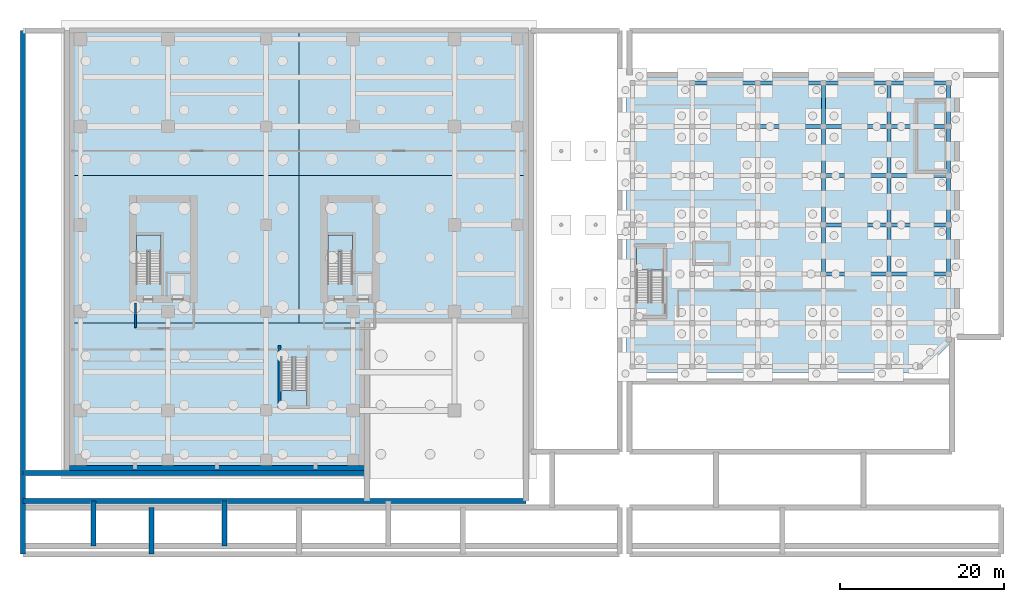
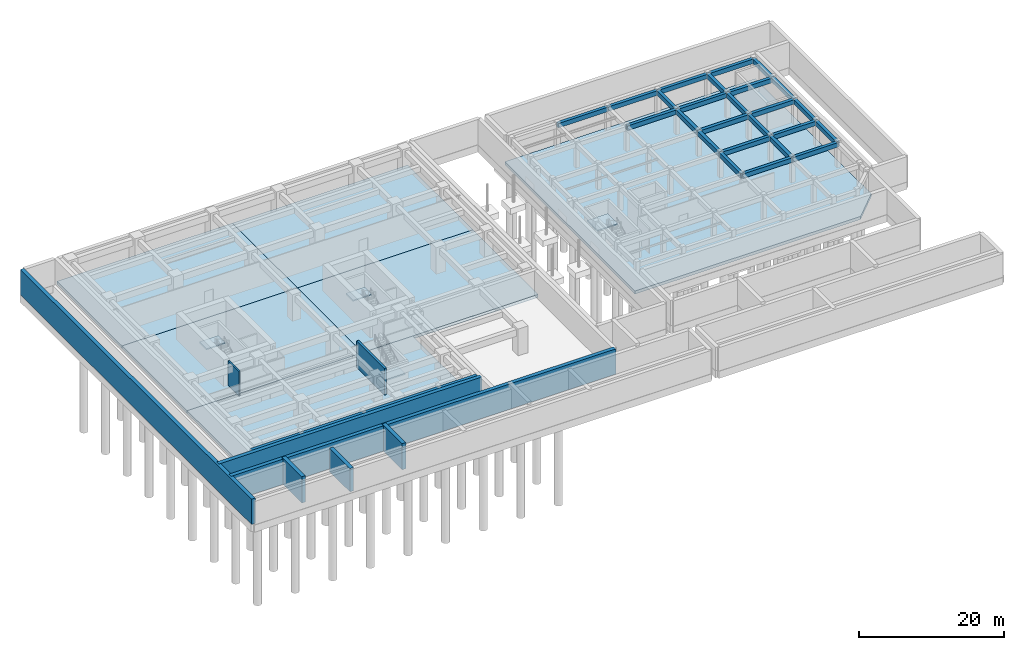
# One storey, part 8 of 14: 25 beams, 10 slabs, 9 walls, 4 elements without a shape of their own.
"""IFC4 building model written with IfcOpenShell, lengths in metres."""

from ifc_helpers import new_model, si_unit, direction, frame, frame_2d, origin, origin_2d, place, context, subcontext, project, spatial, polyline, rectangle, outline, extrude, source, transform, mapped, material, layer, layer_set, material_profile, profile_set, type_object, element, aggregate, save


model = new_model("IFC4")

# Units and contexts
model_context = context("Model", 3, precision=1e-05, world=origin(), true_north=direction((0.0, 1.0)))
body_context = subcontext(model_context, "Body", "Model", "MODEL_VIEW")
ifc_project = project(units=[si_unit("LENGTHUNIT", "METRE"), si_unit("AREAUNIT", "SQUARE_METRE"), si_unit("VOLUMEUNIT", "CUBIC_METRE"), si_unit("PLANEANGLEUNIT", "RADIAN"), si_unit("MASSUNIT", "GRAM", prefix="KILO")], contexts=[model_context])

# Site, building, storey
site_placement = place(None, origin())
site = spatial("IfcSite", under=ifc_project, at=site_placement, CompositionType="ELEMENT")
building_placement = place(site_placement, origin())
building = spatial("IfcBuilding", under=site, at=building_placement, Name="Khoralis Quay Care Tower", CompositionType="ELEMENT")
storey_placement = place(building_placement, frame((0.0, 0.0, -4.5)))
storey = spatial("IfcBuildingStorey", under=building, at=storey_placement, Name="B1", CompositionType="ELEMENT", Elevation=-4.5)

# Beams
ifc_material_1 = material(Name="Concrete C40/50", Category="concrete")
ifc_material_profile = material_profile(ifc_material_1, rectangle(XDim=0.5, YDim=0.75, at=origin_2d()), Name="Concrete C40/50")
ifc_profile_set = profile_set([ifc_material_profile], Name="Concrete C40/50")
beam_type = type_object("IfcBeamType", Name="BM-RC500X750", PredefinedType="BEAM", material=ifc_profile_set)
shared_shape_1 = source(origin(), body_context, "Body", "SweptSolid", [
    extrude(rectangle(XDim=0.5, YDim=0.75, at=origin_2d()), origin(), (0.0, 0.0, 1.0), 7.300048828125),
])
for number, where, z_axis, x_axis, name in (
    (1, (100.0, 18.0, 3.824951171875), (1.0, 0.0, 0.0), (0.0, 1.0, 0.0), "BM-SCX-B1-13"),
    (2, (100.0, 24.0, 3.824951171875), (1.0, 0.0, 0.0), (0.0, 1.0, 0.0), "BM-SCX-B1-18"),
    (3, (100.0, 30.0, 3.824951171875), (1.0, 0.0, 0.0), (0.0, 1.0, 0.0), "BM-SCX-B1-23"),
    (4, (100.0, 36.0, 3.824951171875), (1.0, 0.0, 0.0), (0.0, 1.0, 0.0), "BM-SCX-B1-28"),
    (5, (100.0, 41.300048828125, 3.824951171875), (1.0, 0.0, 0.0), (0.0, 1.0, 0.0), "BM-SCX-B1-33"),
):
    element("IfcBeam", number, at=place(storey_placement, frame(where, z_axis=z_axis, x_axis=x_axis)), inside=storey, type_object=beam_type, Name=name, PredefinedType="BEAM", context=body_context, shape_type="MappedRepresentation", body=[
        mapped(shared_shape_1, transform((0.0, 0.0, 0.0), scale=1.0)),
    ])
shared_shape_2 = source(origin(), body_context, "Body", "SweptSolid", [
    extrude(rectangle(XDim=0.5, YDim=0.75, at=origin_2d()), origin(), (0.0, 0.0, 1.0), 8.0),
])
for number, where, z_axis, x_axis, name in (
    (6, (92.0, 18.0, 3.824951171875), (1.0, 0.0, 0.0), (0.0, 1.0, 0.0), "BM-SCX-B1-12"),
    (7, (92.0, 24.0, 3.824951171875), (1.0, 0.0, 0.0), (0.0, 1.0, 0.0), "BM-SCX-B1-17"),
    (8, (92.0, 30.0, 3.824951171875), (1.0, 0.0, 0.0), (0.0, 1.0, 0.0), "BM-SCX-B1-22"),
    (9, (84.0, 36.0, 3.824951171875), (1.0, 0.0, 0.0), (0.0, 1.0, 0.0), "BM-SCX-B1-26"),
    (10, (92.0, 36.0, 3.824951171875), (1.0, 0.0, 0.0), (0.0, 1.0, 0.0), "BM-SCX-B1-27"),
    (11, (76.0, 41.300048828125, 3.824951171875), (1.0, 0.0, 0.0), (0.0, 1.0, 0.0), "BM-SCX-B1-30"),
    (12, (84.0, 41.300048828125, 3.824951171875), (1.0, 0.0, 0.0), (0.0, 1.0, 0.0), "BM-SCX-B1-31"),
    (13, (92.0, 41.300048828125, 3.824951171875), (1.0, 0.0, 0.0), (0.0, 1.0, 0.0), "BM-SCX-B1-32"),
):
    element("IfcBeam", number, at=place(storey_placement, frame(where, z_axis=z_axis, x_axis=x_axis)), inside=storey, type_object=beam_type, Name=name, PredefinedType="BEAM", context=body_context, shape_type="MappedRepresentation", body=[
        mapped(shared_shape_2, transform((0.0, 0.0, 0.0), scale=1.0)),
    ])
shared_shape_3 = source(origin(), body_context, "Body", "SweptSolid", [
    extrude(rectangle(XDim=0.5, YDim=0.75, at=origin_2d()), origin(), (0.0, 0.0, 1.0), 5.300048828125),
])
for number, where, z_axis, x_axis, name in (
    (14, (92.0, 36.0, 3.824951171875), (0.0, 1.0, 0.0), (-1.0, 0.0, 0.0), "BM-SCY-B1-57"),
    (15, (100.0, 36.0, 3.824951171875), (0.0, 1.0, 0.0), (-1.0, 0.0, 0.0), "BM-SCY-B1-63"),
    (16, (107.300048828125, 36.0, 3.824951171875), (0.0, 1.0, 0.0), (-1.0, 0.0, 0.0), "BM-SCY-B1-68"),
):
    element("IfcBeam", number, at=place(storey_placement, frame(where, z_axis=z_axis, x_axis=x_axis)), inside=storey, type_object=beam_type, Name=name, PredefinedType="BEAM", context=body_context, shape_type="MappedRepresentation", body=[
        mapped(shared_shape_3, transform((0.0, 0.0, 0.0), scale=1.0)),
    ])
shared_shape_4 = source(origin(), body_context, "Body", "SweptSolid", [
    extrude(rectangle(XDim=0.5, YDim=0.75, at=origin_2d()), origin(), (0.0, 0.0, 1.0), 6.0),
])
for number, where, z_axis, x_axis, name in (
    (17, (92.0, 18.0, 3.824951171875), (0.0, 1.0, 0.0), (-1.0, 0.0, 0.0), "BM-SCY-B1-54"),
    (18, (92.0, 24.0, 3.824951171875), (0.0, 1.0, 0.0), (-1.0, 0.0, 0.0), "BM-SCY-B1-55"),
    (19, (92.0, 30.0, 3.824951171875), (0.0, 1.0, 0.0), (-1.0, 0.0, 0.0), "BM-SCY-B1-56"),
    (20, (100.0, 18.0, 3.824951171875), (0.0, 1.0, 0.0), (-1.0, 0.0, 0.0), "BM-SCY-B1-60"),
    (21, (100.0, 24.0, 3.824951171875), (0.0, 1.0, 0.0), (-1.0, 0.0, 0.0), "BM-SCY-B1-61"),
    (22, (100.0, 30.0, 3.824951171875), (0.0, 1.0, 0.0), (-1.0, 0.0, 0.0), "BM-SCY-B1-62"),
    (23, (107.300048828125, 18.0, 3.824951171875), (0.0, 1.0, 0.0), (-1.0, 0.0, 0.0), "BM-SCY-B1-65"),
    (24, (107.300048828125, 24.0, 3.824951171875), (0.0, 1.0, 0.0), (-1.0, 0.0, 0.0), "BM-SCY-B1-66"),
    (25, (107.300048828125, 30.0, 3.824951171875), (0.0, 1.0, 0.0), (-1.0, 0.0, 0.0), "BM-SCY-B1-67"),
):
    element("IfcBeam", number, at=place(storey_placement, frame(where, z_axis=z_axis, x_axis=x_axis)), inside=storey, type_object=beam_type, Name=name, PredefinedType="BEAM", context=body_context, shape_type="MappedRepresentation", body=[
        mapped(shared_shape_4, transform((0.0, 0.0, 0.0), scale=1.0)),
    ])

# Slabs
ifc_material_2 = material(Name="Concrete C50/60", Category="concrete")
ifc_layer_1 = layer(ifc_material_2, 0.5)
ifc_layer_set_1 = layer_set([ifc_layer_1], Name="Concrete C50/60")
slab_type_1 = type_object("IfcSlabType", Name="SLB-BSMT-500", PredefinedType="BASESLAB", material=ifc_layer_set_1)
slab_1_placement = place(storey_placement, frame((0.0, 0.0, -0.5)))
element("IfcSlab", 26, at=slab_1_placement, inside=storey, type_object=slab_type_1, Name="Basement Base Slab SLB-B1-BASE-1", PredefinedType="BASESLAB", context=body_context, shape_type="SweptSolid", body=[
    extrude(outline(polyline([(0.0, -6.0), (36.0, -6.0), (36.0, 12.0), (0.0, 12.0), (0.0, -6.0)])), origin(), (0.0, 0.0, 1.0), 0.5),
])
slab_2_placement = place(storey_placement, frame((0.0, 0.0, -0.5)))
element("IfcSlab", 27, at=slab_2_placement, inside=storey, type_object=slab_type_1, Name="Basement Base Slab SLB-B1-BASE-2", PredefinedType="BASESLAB", context=body_context, shape_type="SweptSolid", body=[
    extrude(outline(polyline([(0.0, 12.0), (28.0, 12.0), (28.0, 30.0), (0.0, 30.0), (0.0, 12.0)])), origin(), (0.0, 0.0, 1.0), 0.5),
])
slab_3_placement = place(storey_placement, frame((0.0, 0.0, -0.5)))
element("IfcSlab", 28, at=slab_3_placement, inside=storey, type_object=slab_type_1, Name="Basement Base Slab SLB-B1-BASE-3", PredefinedType="BASESLAB", context=body_context, shape_type="SweptSolid", body=[
    extrude(outline(polyline([(28.0, 12.0), (56.0, 12.0), (56.0, 30.0), (28.0, 30.0), (28.0, 12.0)])), origin(), (0.0, 0.0, 1.0), 0.5),
])
slab_4_placement = place(storey_placement, frame((0.0, 0.0, -0.5)))
element("IfcSlab", 29, at=slab_4_placement, inside=storey, type_object=slab_type_1, Name="Basement Base Slab SLB-B1-BASE-4", PredefinedType="BASESLAB", context=body_context, shape_type="SweptSolid", body=[
    extrude(outline(polyline([(0.0, 30.0), (28.0, 30.0), (28.0, 48.0), (0.0, 48.0), (0.0, 30.0)])), origin(), (0.0, 0.0, 1.0), 0.5),
])
slab_5_placement = place(storey_placement, frame((0.0, 0.0, -0.5)))
element("IfcSlab", 30, at=slab_5_placement, inside=storey, type_object=slab_type_1, Name="Basement Base Slab SLB-B1-BASE-5", PredefinedType="BASESLAB", context=body_context, shape_type="SweptSolid", body=[
    extrude(outline(polyline([(28.0, 30.0), (56.0, 30.0), (56.0, 48.0), (28.0, 48.0), (28.0, 30.0)])), origin(), (0.0, 0.0, 1.0), 0.5),
])
slab_6_placement = place(storey_placement, frame((0.0, 0.0, -0.5)))
element("IfcSlab", 31, at=slab_6_placement, inside=storey, type_object=slab_type_1, Name="Basement Base Slab SLB-B1-BASE-SCH", PredefinedType="BASESLAB", context=body_context, shape_type="SweptSolid", body=[
    extrude(outline(polyline([(68.0, 6.0), (104.0, 6.0), (108.0, 10.0), (108.0, 42.0), (68.0, 42.0), (68.0, 6.0)])), origin(), (0.0, 0.0, 1.0), 0.5),
])

# Stair, slab
ifc_material_3 = material(Name="Precast concrete C45/55", Category="concrete")
stair_type_1 = type_object("IfcStairType", Name="ST-TWR-DOGLEG-1400", PredefinedType="HALF_TURN_STAIR", material=ifc_material_3)
stair_1_placement = place(storey_placement, origin())
stair_1 = element("IfcStair", 32, at=stair_1_placement, inside=storey, type_object=stair_type_1, Name="B1 West Core Exit Stair ST-T1", PredefinedType="HALF_TURN_STAIR")
ifc_layer_2 = layer(ifc_material_3, 0.199951171875)
ifc_layer_set_2 = layer_set([ifc_layer_2], Name="Precast concrete C45/55")
slab_type_2 = type_object("IfcSlabType", Name="SLB-LANDING-200", PredefinedType="LANDING", material=ifc_layer_set_2)
slab_7_placement = place(storey_placement, frame((0.0, 0.0, 2.050048828125)))
slab_7 = element("IfcSlab", 33, at=slab_7_placement, type_object=slab_type_2, Name="ST-T1 landing 1", PredefinedType="LANDING", context=body_context, shape_type="SweptSolid", body=[
    extrude(outline(polyline([(11.14990234375, 20.77001953125), (11.14990234375, 22.75), (8.14990234375, 22.75), (8.14990234375, 20.77001953125), (11.14990234375, 20.77001953125)])), origin(), (0.0, 0.0, 1.0), 0.199951171875),
])
aggregate(stair_1, [slab_7])

stair_2_placement = place(storey_placement, origin())
stair_2 = element("IfcStair", 34, at=stair_2_placement, inside=storey, type_object=stair_type_1, Name="B1 East Core Exit Stair ST-T2", PredefinedType="HALF_TURN_STAIR")
slab_8_placement = place(storey_placement, frame((0.0, 0.0, 2.050048828125)))
slab_8 = element("IfcSlab", 35, at=slab_8_placement, type_object=slab_type_2, Name="ST-T2 landing 1", PredefinedType="LANDING", context=body_context, shape_type="SweptSolid", body=[
    extrude(outline(polyline([(34.52001953125, 20.77001953125), (34.52001953125, 22.75), (31.52001953125, 22.75), (31.52001953125, 20.77001953125), (34.52001953125, 20.77001953125)])), origin(), (0.0, 0.0, 1.0), 0.199951171875),
])
aggregate(stair_2, [slab_8])

stair_type_2 = type_object("IfcStairType", Name="ST-POD-DOGLEG-1500", PredefinedType="HALF_TURN_STAIR", material=ifc_material_3)
stair_3_placement = place(storey_placement, origin())
stair_3 = element("IfcStair", 36, at=stair_3_placement, inside=storey, type_object=stair_type_2, Name="B1 Podium Clinical Stair ST-P1", PredefinedType="HALF_TURN_STAIR")
slab_9_placement = place(storey_placement, frame((0.0, 0.0, 2.050048828125)))
slab_9 = element("IfcSlab", 37, at=slab_9_placement, type_object=slab_type_2, Name="ST-P1 landing 1", PredefinedType="LANDING", context=body_context, shape_type="SweptSolid", body=[
    extrude(outline(polyline([(25.800048828125, 3.800048828125), (25.800048828125, 1.89990234375), (29.0, 1.89990234375), (29.0, 3.800048828125), (25.800048828125, 3.800048828125)])), origin(), (0.0, 0.0, 1.0), 0.199951171875),
])
aggregate(stair_3, [slab_9])

stair_type_3 = type_object("IfcStairType", Name="ST-SCH-DOGLEG-1550", PredefinedType="HALF_TURN_STAIR", material=ifc_material_3)
stair_4_placement = place(storey_placement, origin())
stair_4 = element("IfcStair", 38, at=stair_4_placement, inside=storey, type_object=stair_type_3, Name="B1 Companion School West Exit Stair ST-S1", PredefinedType="HALF_TURN_STAIR")
slab_10_placement = place(storey_placement, frame((0.0, 0.0, 2.050048828125)))
slab_10 = element("IfcSlab", 39, at=slab_10_placement, type_object=slab_type_2, Name="ST-S1 landing 1", PredefinedType="LANDING", context=body_context, shape_type="SweptSolid", body=[
    extrude(outline(polyline([(72.5, 18.47998046875), (72.5, 21.300048828125), (69.199951171875, 21.300048828125), (69.199951171875, 18.47998046875), (72.5, 18.47998046875)])), origin(), (0.0, 0.0, 1.0), 0.199951171875),
])
aggregate(stair_4, [slab_10])

# Walls
ifc_layer_3 = layer(ifc_material_2, 0.60009765625)
ifc_layer_set_3 = layer_set([ifc_layer_3], Name="Concrete C50/60")
wall_type_1 = type_object("IfcWallType", Name="WL-BSMT-RET-600", PredefinedType="SOLIDWALL", material=ifc_layer_set_3)
wall_1_placement = place(storey_placement, frame((0.0, -5.699951171875, 0.0), z_axis=(0.0, 0.0, 1.0), x_axis=(1.0, 0.0, 0.0)))
element("IfcWall", 40, at=wall_1_placement, inside=storey, type_object=wall_type_1, Name="Basement Retaining Wall WL-B1-RET-S1", PredefinedType="SOLIDWALL", context=body_context, shape_type="SweptSolid", body=[
    extrude(rectangle(XDim=36.0, YDim=0.60009765625, at=frame_2d((18.0, 0.0))), origin(), (0.0, 0.0, 1.0), 4.159912109375),
])
for number, where, z_axis, x_axis, name in (
    (41, (2.89990234375, -15.199951171875, 0.0), (0.0, 0.0, 1.0), (0.0, 1.0, 0.0), "Waterfront Quay Substructure Retaining Plinth Wall 1"),
    (42, (18.89990234375, -15.199951171875, 0.0), (0.0, 0.0, 1.0), (0.0, 1.0, 0.0), "Waterfront Quay Substructure Retaining Plinth Wall 2"),
):
    element("IfcWall", number, at=place(storey_placement, frame(where, z_axis=z_axis, x_axis=x_axis)), inside=storey, type_object=wall_type_1, Name=name, PredefinedType="SOLIDWALL", context=body_context, shape_type="SweptSolid", body=[
        extrude(rectangle(XDim=5.5, YDim=0.60009765625, at=frame_2d((2.75, 0.0))), origin(), (0.0, 0.0, 1.0), 4.419921875),
    ])
wall_2_placement = place(storey_placement, frame((-5.699951171875, -16.199951171875, 0.0), z_axis=(0.0, 0.0, 1.0), x_axis=(0.0, 1.0, 0.0)))
element("IfcWall", 43, at=wall_2_placement, inside=storey, type_object=wall_type_1, Name="Quay Promenade Substructure Retaining Plinth Wall 1", PredefinedType="SOLIDWALL", context=body_context, shape_type="SweptSolid", body=[
    extrude(rectangle(XDim=63.89990234375, YDim=0.60009765625, at=frame_2d((31.949951171875, 0.0))), origin(), (0.0, 0.0, 1.0), 4.260009765625),
])
wall_3_placement = place(storey_placement, frame((-5.699951171875, -9.699951171875, 0.0), z_axis=(0.0, 0.0, 1.0), x_axis=(1.0, 0.0, 0.0)))
element("IfcWall", 44, at=wall_3_placement, inside=storey, type_object=wall_type_1, Name="Quay Promenade Substructure Retaining Plinth Wall 4", PredefinedType="SOLIDWALL", context=body_context, shape_type="SweptSolid", body=[
    extrude(rectangle(XDim=61.39990234375, YDim=0.60009765625, at=frame_2d((30.699951171875, 0.0))), origin(), (0.0, 0.0, 1.0), 4.260009765625),
])
wall_4_placement = place(storey_placement, frame((-5.699951171875, -6.300048828125, 0.0), z_axis=(0.0, 0.0, 1.0), x_axis=(1.0, 0.0, 0.0)))
element("IfcWall", 45, at=wall_4_placement, inside=storey, type_object=wall_type_1, Name="Quay Promenade Substructure Retaining Plinth Wall 5", PredefinedType="SOLIDWALL", context=body_context, shape_type="SweptSolid", body=[
    extrude(rectangle(XDim=42.0, YDim=0.60009765625, at=frame_2d((21.0, 0.0))), origin(), (0.0, 0.0, 1.0), 4.260009765625),
])
wall_5_placement = place(storey_placement, frame((10.0, -16.199951171875, 0.0), z_axis=(0.0, 0.0, 1.0), x_axis=(0.0, 1.0, 0.0)))
element("IfcWall", 46, at=wall_5_placement, inside=storey, type_object=wall_type_1, Name="Quay Promenade Substructure Retaining Plinth Wall 26", PredefinedType="SOLIDWALL", context=body_context, shape_type="SweptSolid", body=[
    extrude(rectangle(XDim=5.699951171875, YDim=0.60009765625, at=frame_2d((2.85009765625, 0.0))), origin(), (0.0, 0.0, 1.0), 3.93994140625),
])
ifc_material_4 = material(Name="Gypsum plasterboard on acoustic metal stud")
ifc_layer_4 = layer(ifc_material_4, 0.199951171875)
ifc_layer_set_4 = layer_set([ifc_layer_4], Name="Gypsum plasterboard on acoustic metal stud")
wall_type_2 = type_object("IfcWallType", Name="WL-COMP-200", PredefinedType="PARTITIONING", material=ifc_layer_set_4)
wall_6_placement = place(storey_placement, frame((8.050048828125, 11.445068359375, 0.0), z_axis=(0.0, 0.0, 1.0), x_axis=(0.0, 1.0, 0.0)))
element("IfcWall", 47, at=wall_6_placement, inside=storey, type_object=wall_type_2, Name="B1 West Firefighting Lobby West Wall", PredefinedType="PARTITIONING", context=body_context, shape_type="SweptSolid", body=[
    extrude(rectangle(XDim=2.98486328125, YDim=0.199951171875, at=frame_2d((1.492431640625, 0.0))), origin(), (0.0, 0.0, 1.0), 4.159912109375),
])
ifc_layer_5 = layer(ifc_material_1, 0.35009765625)
ifc_layer_set_5 = layer_set([ifc_layer_5], Name="Concrete C40/50")
wall_type_3 = type_object("IfcWallType", Name="WL-SC-CORE-350", PredefinedType="SHEAR", material=ifc_layer_set_5)
wall_7_placement = place(storey_placement, frame((25.64501953125, 1.570068359375, 0.0), z_axis=(0.0, 0.0, 1.0), x_axis=(0.0, 1.0, 0.0)))
element("IfcWall", 48, at=wall_7_placement, inside=storey, type_object=wall_type_3, Name="B1 Podium Stair ST-P1 West Shear Wall", PredefinedType="SHEAR", context=body_context, shape_type="SweptSolid", body=[
    extrude(rectangle(XDim=7.7099609375, YDim=0.35009765625, at=frame_2d((3.85498046875, 0.0))), origin(), (0.0, 0.0, 1.0), 4.5),
])

save(model, "model.ifc")
